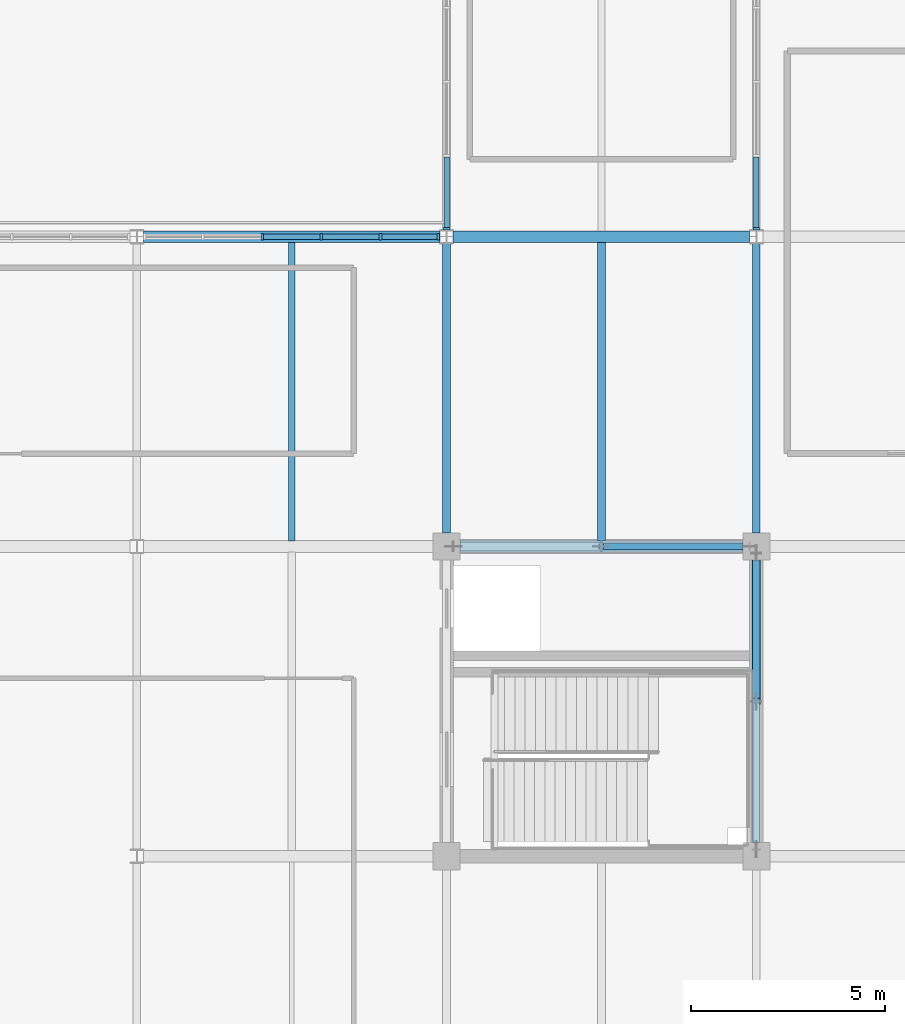
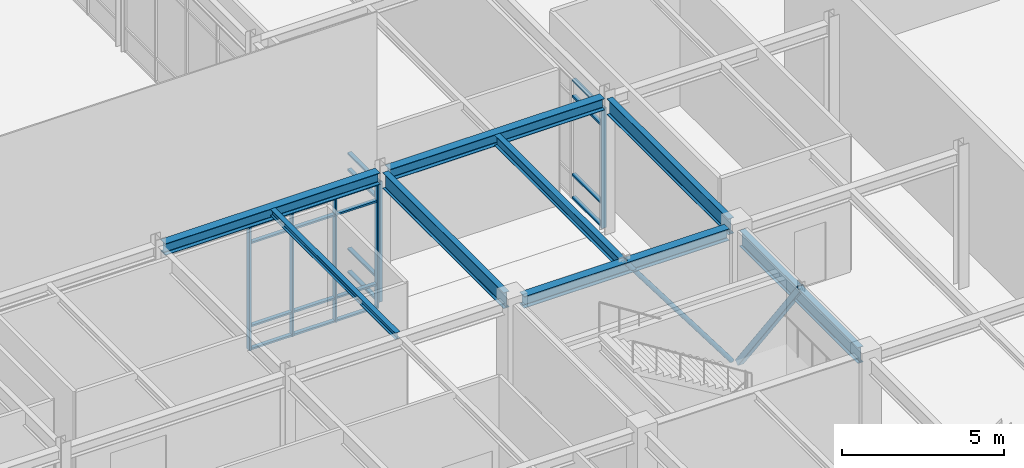
# One storey, part 34 of 119: 28 members, 8 beams, 3 elements without a shape of their own.
"""IFC4 building model written with IfcOpenShell, lengths in metres."""

from ifc_helpers import new_model, si_unit, direction, frame, origin, origin_2d, place, context, subcontext, project, spatial, rectangle, hollow_rectangle, hollow_circle, i_section, extrude, material, material_profile, profile_set, type_object, element, aggregate, save


model = new_model("IFC4")

# Units and contexts
model_context = context("Model", 3, precision=1e-05, world=origin(), true_north=direction((0.0, 1.0)))
body_context = subcontext(model_context, "Body", "Model", "MODEL_VIEW")
ifc_project = project(units=[si_unit("LENGTHUNIT", "METRE"), si_unit("AREAUNIT", "SQUARE_METRE"), si_unit("VOLUMEUNIT", "CUBIC_METRE"), si_unit("PLANEANGLEUNIT", "RADIAN"), si_unit("MASSUNIT", "GRAM", prefix="KILO")], contexts=[model_context])

# Site, building, storey
site_placement = place(None, origin())
site = spatial("IfcSite", under=ifc_project, at=site_placement, CompositionType="ELEMENT")
building_placement = place(site_placement, origin())
building = spatial("IfcBuilding", under=site, at=building_placement, Name="Zhaolan Boulevard Law Courts", CompositionType="ELEMENT")
storey_placement = place(building_placement, origin())
storey = spatial("IfcBuildingStorey", under=building, at=storey_placement, Name="L00", CompositionType="ELEMENT", Elevation=0.0)

# Member
ifc_material_1 = material(Name="Structural steel Q355B", Category="steel")
ifc_material_profile_1 = material_profile(ifc_material_1, hollow_rectangle(XDim=0.219970703125, YDim=0.219970703125, WallThickness=0.010009765625, InnerFilletRadius=0.010009765625, OuterFilletRadius=0.02001953125, at=origin_2d()), Name="HSS220x220x10")
ifc_profile_set_1 = profile_set([ifc_material_profile_1], Name="Structural steel Q355B")
member_type_1 = type_object("IfcMemberType", Name="BRACE HSS220", PredefinedType="BRACE", material=ifc_profile_set_1)
member_1_placement = place(storey_placement, frame((124.0, 21.820068359375, 0.030029296875), z_axis=(0.0, -0.600251625626, 0.799811218935), x_axis=(1.0, 0.0, 0.0)))
element("IfcMember", 1, at=member_1_placement, inside=storey, type_object=member_type_1, Name="Core Brace BR-P2-L00-E2", PredefinedType="BRACE", context=body_context, shape_type="SweptSolid", body=[
    extrude(hollow_rectangle(XDim=0.219970703125, YDim=0.219970703125, WallThickness=0.010009765625, InnerFilletRadius=0.010009765625, OuterFilletRadius=0.02001953125, at=origin_2d()), origin(), (0.0, 0.0, 1.0), 6.364013671875),
])

# Curtain wall, members
ifc_material_2 = material(Name="Thermally broken aluminium and low-E glazing", Category="aluminium")
curtain_wall_type_1 = type_object("IfcCurtainWallType", Name="CURTAIN WALL M8", PredefinedType="USERDEFINED", material=ifc_material_2)
curtain_wall_1_placement = place(storey_placement, origin())
curtain_wall_1 = element("IfcCurtainWall", 2, at=curtain_wall_1_placement, inside=storey, type_object=curtain_wall_type_1, Name="Curtain Wall CW-L00-008", ObjectType="CURTAIN WALL", PredefinedType="USERDEFINED")
ifc_material_3 = material(Name="Fluorocarbon-coated aluminium 6063-T6", Category="aluminium")
ifc_material_profile_2 = material_profile(ifc_material_3, rectangle(XDim=0.179931640625, YDim=0.06494140625, at=origin_2d()), Name="AL65x180")
ifc_profile_set_2 = profile_set([ifc_material_profile_2], Name="Fluorocarbon-coated aluminium 6063-T6")
member_type_2 = type_object("IfcMemberType", Name="CWMULLION 65X180", PredefinedType="MULLION", material=ifc_profile_set_2)
member_2_placement = place(storey_placement, frame((115.79052734375, 30.0, 0.0), z_axis=(0.0, 0.0, 1.0), x_axis=(0.0, -1.0, 0.0)))
member_2 = element("IfcMember", 3, at=member_2_placement, type_object=member_type_2, Name="CW-L00-008 mullion 1", PredefinedType="MULLION", context=body_context, shape_type="SweptSolid", body=[
    extrude(rectangle(XDim=0.179931640625, YDim=0.06494140625, at=origin_2d()), origin(), (0.0, 0.0, 1.0), 4.68310546875),
])
member_3_placement = place(storey_placement, frame((114.293701171875, 30.0, 0.0), z_axis=(0.0, 0.0, 1.0), x_axis=(0.0, -1.0, 0.0)))
member_3 = element("IfcMember", 4, at=member_3_placement, type_object=member_type_2, Name="CW-L00-008 mullion 2", PredefinedType="MULLION", context=body_context, shape_type="SweptSolid", body=[
    extrude(rectangle(XDim=0.179931640625, YDim=0.06494140625, at=origin_2d()), origin(), (0.0, 0.0, 1.0), 4.68310546875),
])
member_4_placement = place(storey_placement, frame((112.7646484375, 30.0, 0.0), z_axis=(0.0, 0.0, 1.0), x_axis=(0.0, -1.0, 0.0)))
member_4 = element("IfcMember", 5, at=member_4_placement, type_object=member_type_2, Name="CW-L00-008 mullion 3", PredefinedType="MULLION", context=body_context, shape_type="SweptSolid", body=[
    extrude(rectangle(XDim=0.179931640625, YDim=0.06494140625, at=origin_2d()), origin(), (0.0, 0.0, 1.0), 4.68310546875),
])
member_5_placement = place(storey_placement, frame((111.2353515625, 30.0, 0.0), z_axis=(0.0, 0.0, 1.0), x_axis=(0.0, -1.0, 0.0)))
member_5 = element("IfcMember", 6, at=member_5_placement, type_object=member_type_2, Name="CW-L00-008 mullion 4", PredefinedType="MULLION", context=body_context, shape_type="SweptSolid", body=[
    extrude(rectangle(XDim=0.179931640625, YDim=0.06494140625, at=origin_2d()), origin(), (0.0, 0.0, 1.0), 4.68310546875),
])

# Curtain wall, member
ifc_material_4 = material(Name="Thermally broken aluminium and low-E glazing", Category="aluminium")
curtain_wall_type_2 = type_object("IfcCurtainWallType", Name="CURTAIN WALL M20", PredefinedType="USERDEFINED", material=ifc_material_4)
curtain_wall_2_placement = place(storey_placement, origin())
curtain_wall_2 = element("IfcCurtainWall", 7, at=curtain_wall_2_placement, inside=storey, type_object=curtain_wall_type_2, Name="Curtain Wall CW-L00-020", ObjectType="CURTAIN WALL", PredefinedType="USERDEFINED")
member_6_placement = place(storey_placement, frame((116.0, 30.20947265625, 0.0), z_axis=(0.0, 0.0, 1.0), x_axis=(1.0, 0.0, 0.0)))
member_6 = element("IfcMember", 8, at=member_6_placement, type_object=member_type_2, Name="CW-L00-020 mullion 5", PredefinedType="MULLION", context=body_context, shape_type="SweptSolid", body=[
    extrude(rectangle(XDim=0.179931640625, YDim=0.06494140625, at=origin_2d()), origin(), (0.0, 0.0, 1.0), 4.532958984375),
])

ifc_material_5 = material(Name="Thermally broken aluminium and low-E glazing", Category="aluminium")
curtain_wall_type_3 = type_object("IfcCurtainWallType", Name="CURTAIN WALL M24", PredefinedType="USERDEFINED", material=ifc_material_5)
curtain_wall_3_placement = place(storey_placement, origin())
curtain_wall_3 = element("IfcCurtainWall", 9, at=curtain_wall_3_placement, inside=storey, type_object=curtain_wall_type_3, Name="Curtain Wall CW-L00-024", ObjectType="CURTAIN WALL", PredefinedType="USERDEFINED")
member_7_placement = place(storey_placement, frame((124.0, 30.20947265625, 0.0), z_axis=(0.0, 0.0, 1.0), x_axis=(-1.0, 0.0, 0.0)))
member_7 = element("IfcMember", 10, at=member_7_placement, type_object=member_type_2, Name="CW-L00-024 mullion 1", PredefinedType="MULLION", context=body_context, shape_type="SweptSolid", body=[
    extrude(rectangle(XDim=0.179931640625, YDim=0.06494140625, at=origin_2d()), origin(), (0.0, 0.0, 1.0), 4.5029296875),
])

# Member
ifc_material_6 = material(Name="Fluorocarbon-coated aluminium 6063-T6", Category="aluminium")
ifc_material_profile_3 = material_profile(ifc_material_6, rectangle(XDim=0.139892578125, YDim=0.06494140625, at=origin_2d()), Name="AL65x140")
ifc_profile_set_3 = profile_set([ifc_material_profile_3], Name="Fluorocarbon-coated aluminium 6063-T6")
member_type_3 = type_object("IfcMemberType", Name="CWTRANSOM 65X140", PredefinedType="USERDEFINED", material=ifc_profile_set_3)
member_8_placement = place(storey_placement, frame((115.758056640625, 30.0, 0.032470703125), z_axis=(-1.0, 0.0, 0.0), x_axis=(0.0, -1.0, 0.0)))
member_8 = element("IfcMember", 11, at=member_8_placement, type_object=member_type_3, Name="CW-L00-008 transom 1.1", ObjectType="TRANSOM", PredefinedType="USERDEFINED", context=body_context, shape_type="SweptSolid", body=[
    extrude(rectangle(XDim=0.139892578125, YDim=0.06494140625, at=origin_2d()), origin(), (0.0, 0.0, 1.0), 1.431640625),
])

member_9_placement = place(storey_placement, frame((115.758056640625, 30.0, 0.89990234375), z_axis=(-1.0, 0.0, 0.0), x_axis=(0.0, -1.0, 0.0)))
member_9 = element("IfcMember", 12, at=member_9_placement, type_object=member_type_3, Name="CW-L00-008 transom 1.2", ObjectType="TRANSOM", PredefinedType="USERDEFINED", context=body_context, shape_type="SweptSolid", body=[
    extrude(rectangle(XDim=0.139892578125, YDim=0.06494140625, at=origin_2d()), origin(), (0.0, 0.0, 1.0), 1.431640625),
])

member_10_placement = place(storey_placement, frame((115.758056640625, 30.0, 4.032958984375), z_axis=(-1.0, 0.0, 0.0), x_axis=(0.0, -1.0, 0.0)))
member_10 = element("IfcMember", 13, at=member_10_placement, type_object=member_type_3, Name="CW-L00-008 transom 1.3", ObjectType="TRANSOM", PredefinedType="USERDEFINED", context=body_context, shape_type="SweptSolid", body=[
    extrude(rectangle(XDim=0.139892578125, YDim=0.06494140625, at=origin_2d()), origin(), (0.0, 0.0, 1.0), 1.431640625),
])

member_11_placement = place(storey_placement, frame((115.758056640625, 30.0, 4.650390625), z_axis=(-1.0, 0.0, 0.0), x_axis=(0.0, -1.0, 0.0)))
member_11 = element("IfcMember", 14, at=member_11_placement, type_object=member_type_3, Name="CW-L00-008 transom 1.4", ObjectType="TRANSOM", PredefinedType="USERDEFINED", context=body_context, shape_type="SweptSolid", body=[
    extrude(rectangle(XDim=0.139892578125, YDim=0.06494140625, at=origin_2d()), origin(), (0.0, 0.0, 1.0), 1.431640625),
])

member_12_placement = place(storey_placement, frame((114.26123046875, 30.0, 0.032470703125), z_axis=(-1.0, 0.0, 0.0), x_axis=(0.0, -1.0, 0.0)))
member_12 = element("IfcMember", 15, at=member_12_placement, type_object=member_type_3, Name="CW-L00-008 transom 2.1", ObjectType="TRANSOM", PredefinedType="USERDEFINED", context=body_context, shape_type="SweptSolid", body=[
    extrude(rectangle(XDim=0.139892578125, YDim=0.06494140625, at=origin_2d()), origin(), (0.0, 0.0, 1.0), 1.464111328125),
])

member_13_placement = place(storey_placement, frame((114.26123046875, 30.0, 0.89990234375), z_axis=(-1.0, 0.0, 0.0), x_axis=(0.0, -1.0, 0.0)))
member_13 = element("IfcMember", 16, at=member_13_placement, type_object=member_type_3, Name="CW-L00-008 transom 2.2", ObjectType="TRANSOM", PredefinedType="USERDEFINED", context=body_context, shape_type="SweptSolid", body=[
    extrude(rectangle(XDim=0.139892578125, YDim=0.06494140625, at=origin_2d()), origin(), (0.0, 0.0, 1.0), 1.464111328125),
])

member_14_placement = place(storey_placement, frame((114.26123046875, 30.0, 4.032958984375), z_axis=(-1.0, 0.0, 0.0), x_axis=(0.0, -1.0, 0.0)))
member_14 = element("IfcMember", 17, at=member_14_placement, type_object=member_type_3, Name="CW-L00-008 transom 2.3", ObjectType="TRANSOM", PredefinedType="USERDEFINED", context=body_context, shape_type="SweptSolid", body=[
    extrude(rectangle(XDim=0.139892578125, YDim=0.06494140625, at=origin_2d()), origin(), (0.0, 0.0, 1.0), 1.464111328125),
])

member_15_placement = place(storey_placement, frame((114.26123046875, 30.0, 4.650390625), z_axis=(-1.0, 0.0, 0.0), x_axis=(0.0, -1.0, 0.0)))
member_15 = element("IfcMember", 18, at=member_15_placement, type_object=member_type_3, Name="CW-L00-008 transom 2.4", ObjectType="TRANSOM", PredefinedType="USERDEFINED", context=body_context, shape_type="SweptSolid", body=[
    extrude(rectangle(XDim=0.139892578125, YDim=0.06494140625, at=origin_2d()), origin(), (0.0, 0.0, 1.0), 1.464111328125),
])

member_16_placement = place(storey_placement, frame((112.732177734375, 30.0, 0.032470703125), z_axis=(-1.0, 0.0, 0.0), x_axis=(0.0, -1.0, 0.0)))
member_16 = element("IfcMember", 19, at=member_16_placement, type_object=member_type_3, Name="CW-L00-008 transom 3.1", ObjectType="TRANSOM", PredefinedType="USERDEFINED", context=body_context, shape_type="SweptSolid", body=[
    extrude(rectangle(XDim=0.139892578125, YDim=0.06494140625, at=origin_2d()), origin(), (0.0, 0.0, 1.0), 1.46435546875),
])

member_17_placement = place(storey_placement, frame((112.732177734375, 30.0, 0.89990234375), z_axis=(-1.0, 0.0, 0.0), x_axis=(0.0, -1.0, 0.0)))
member_17 = element("IfcMember", 20, at=member_17_placement, type_object=member_type_3, Name="CW-L00-008 transom 3.2", ObjectType="TRANSOM", PredefinedType="USERDEFINED", context=body_context, shape_type="SweptSolid", body=[
    extrude(rectangle(XDim=0.139892578125, YDim=0.06494140625, at=origin_2d()), origin(), (0.0, 0.0, 1.0), 1.46435546875),
])

member_18_placement = place(storey_placement, frame((112.732177734375, 30.0, 4.032958984375), z_axis=(-1.0, 0.0, 0.0), x_axis=(0.0, -1.0, 0.0)))
member_18 = element("IfcMember", 21, at=member_18_placement, type_object=member_type_3, Name="CW-L00-008 transom 3.3", ObjectType="TRANSOM", PredefinedType="USERDEFINED", context=body_context, shape_type="SweptSolid", body=[
    extrude(rectangle(XDim=0.139892578125, YDim=0.06494140625, at=origin_2d()), origin(), (0.0, 0.0, 1.0), 1.46435546875),
])

member_19_placement = place(storey_placement, frame((112.732177734375, 30.0, 4.650390625), z_axis=(-1.0, 0.0, 0.0), x_axis=(0.0, -1.0, 0.0)))
member_19 = element("IfcMember", 22, at=member_19_placement, type_object=member_type_3, Name="CW-L00-008 transom 3.4", ObjectType="TRANSOM", PredefinedType="USERDEFINED", context=body_context, shape_type="SweptSolid", body=[
    extrude(rectangle(XDim=0.139892578125, YDim=0.06494140625, at=origin_2d()), origin(), (0.0, 0.0, 1.0), 1.46435546875),
])

aggregate(curtain_wall_1, [member_2, member_3, member_4, member_5, member_8, member_9, member_10, member_11, member_12, member_13, member_14, member_15, member_16, member_17, member_18, member_19])

member_20_placement = place(storey_placement, frame((116.0, 32.055908203125, 0.032470703125), z_axis=(0.0, -1.0, 0.0), x_axis=(1.0, 0.0, 0.0)))
member_20 = element("IfcMember", 23, at=member_20_placement, type_object=member_type_3, Name="CW-L00-020 transom 4.1", ObjectType="TRANSOM", PredefinedType="USERDEFINED", context=body_context, shape_type="SweptSolid", body=[
    extrude(rectangle(XDim=0.139892578125, YDim=0.06494140625, at=origin_2d()), origin(), (0.0, 0.0, 1.0), 1.81396484375),
])

member_21_placement = place(storey_placement, frame((116.0, 32.055908203125, 0.89990234375), z_axis=(0.0, -1.0, 0.0), x_axis=(1.0, 0.0, 0.0)))
member_21 = element("IfcMember", 24, at=member_21_placement, type_object=member_type_3, Name="CW-L00-020 transom 4.2", ObjectType="TRANSOM", PredefinedType="USERDEFINED", context=body_context, shape_type="SweptSolid", body=[
    extrude(rectangle(XDim=0.139892578125, YDim=0.06494140625, at=origin_2d()), origin(), (0.0, 0.0, 1.0), 1.81396484375),
])

member_22_placement = place(storey_placement, frame((116.0, 32.055908203125, 3.883056640625), z_axis=(0.0, -1.0, 0.0), x_axis=(1.0, 0.0, 0.0)))
member_22 = element("IfcMember", 25, at=member_22_placement, type_object=member_type_3, Name="CW-L00-020 transom 4.3", ObjectType="TRANSOM", PredefinedType="USERDEFINED", context=body_context, shape_type="SweptSolid", body=[
    extrude(rectangle(XDim=0.139892578125, YDim=0.06494140625, at=origin_2d()), origin(), (0.0, 0.0, 1.0), 1.81396484375),
])

member_23_placement = place(storey_placement, frame((116.0, 32.055908203125, 4.50048828125), z_axis=(0.0, -1.0, 0.0), x_axis=(1.0, 0.0, 0.0)))
member_23 = element("IfcMember", 26, at=member_23_placement, type_object=member_type_3, Name="CW-L00-020 transom 4.4", ObjectType="TRANSOM", PredefinedType="USERDEFINED", context=body_context, shape_type="SweptSolid", body=[
    extrude(rectangle(XDim=0.139892578125, YDim=0.06494140625, at=origin_2d()), origin(), (0.0, 0.0, 1.0), 1.81396484375),
])

aggregate(curtain_wall_2, [member_6, member_20, member_21, member_22, member_23])

member_24_placement = place(storey_placement, frame((124.0, 30.241943359375, 0.032470703125), z_axis=(0.0, 1.0, 0.0), x_axis=(-1.0, 0.0, 0.0)))
member_24 = element("IfcMember", 27, at=member_24_placement, type_object=member_type_3, Name="CW-L00-024 transom 1.1", ObjectType="TRANSOM", PredefinedType="USERDEFINED", context=body_context, shape_type="SweptSolid", body=[
    extrude(rectangle(XDim=0.139892578125, YDim=0.06494140625, at=origin_2d()), origin(), (0.0, 0.0, 1.0), 1.81396484375),
])

member_25_placement = place(storey_placement, frame((124.0, 30.241943359375, 0.89990234375), z_axis=(0.0, 1.0, 0.0), x_axis=(-1.0, 0.0, 0.0)))
member_25 = element("IfcMember", 28, at=member_25_placement, type_object=member_type_3, Name="CW-L00-024 transom 1.2", ObjectType="TRANSOM", PredefinedType="USERDEFINED", context=body_context, shape_type="SweptSolid", body=[
    extrude(rectangle(XDim=0.139892578125, YDim=0.06494140625, at=origin_2d()), origin(), (0.0, 0.0, 1.0), 1.81396484375),
])

member_26_placement = place(storey_placement, frame((124.0, 30.241943359375, 3.85302734375), z_axis=(0.0, 1.0, 0.0), x_axis=(-1.0, 0.0, 0.0)))
member_26 = element("IfcMember", 29, at=member_26_placement, type_object=member_type_3, Name="CW-L00-024 transom 1.3", ObjectType="TRANSOM", PredefinedType="USERDEFINED", context=body_context, shape_type="SweptSolid", body=[
    extrude(rectangle(XDim=0.139892578125, YDim=0.06494140625, at=origin_2d()), origin(), (0.0, 0.0, 1.0), 1.81396484375),
])

member_27_placement = place(storey_placement, frame((124.0, 30.241943359375, 4.470458984375), z_axis=(0.0, 1.0, 0.0), x_axis=(-1.0, 0.0, 0.0)))
member_27 = element("IfcMember", 30, at=member_27_placement, type_object=member_type_3, Name="CW-L00-024 transom 1.4", ObjectType="TRANSOM", PredefinedType="USERDEFINED", context=body_context, shape_type="SweptSolid", body=[
    extrude(rectangle(XDim=0.139892578125, YDim=0.06494140625, at=origin_2d()), origin(), (0.0, 0.0, 1.0), 1.81396484375),
])

aggregate(curtain_wall_3, [member_7, member_24, member_25, member_26, member_27])

# Beams
ifc_material_7 = material(Name="Structural steel Q355B", Category="steel")
ifc_material_profile_4 = material_profile(ifc_material_7, i_section(OverallWidth=0.300048828125, OverallDepth=0.43994140625, WebThickness=0.010986328125, FlangeThickness=0.01806640625, FilletRadius=0.02001953125, at=origin_2d()), Name="HM440x300")
ifc_profile_set_4 = profile_set([ifc_material_profile_4], Name="Structural steel Q355B")
beam_type_1 = type_object("IfcBeamType", Name="GIRDER HM440", PredefinedType="BEAM", material=ifc_profile_set_4)
beam_1_placement = place(storey_placement, frame((116.345947265625, 22.0, 4.91796875), z_axis=(1.0, 0.0, 0.0), x_axis=(0.0, 1.0, 0.0)))
element("IfcBeam", 31, at=beam_1_placement, inside=storey, type_object=beam_type_1, Name="Beam BX-L01-15-16-D", PredefinedType="BEAM", context=body_context, shape_type="SweptSolid", body=[
    extrude(i_section(OverallWidth=0.300048828125, OverallDepth=0.43994140625, WebThickness=0.010986328125, FlangeThickness=0.01806640625, FilletRadius=0.02001953125, at=origin_2d()), origin(), (0.0, 0.0, 1.0), 7.30810546875),
])
for number, where, z_axis, x_axis, name in (
    (32, (108.1708984375, 30.0, 4.91796875), (1.0, 0.0, 0.0), (0.0, 1.0, 0.0), "Beam BX-L01-14-15-E"),
    (33, (116.1708984375, 30.0, 4.91796875), (1.0, 0.0, 0.0), (0.0, 1.0, 0.0), "Beam BX-L01-15-16-E"),
):
    element("IfcBeam", number, at=place(storey_placement, frame(where, z_axis=z_axis, x_axis=x_axis)), inside=storey, type_object=beam_type_1, Name=name, PredefinedType="BEAM", context=body_context, shape_type="SweptSolid", body=[
        extrude(i_section(OverallWidth=0.300048828125, OverallDepth=0.43994140625, WebThickness=0.010986328125, FlangeThickness=0.01806640625, FilletRadius=0.02001953125, at=origin_2d()), origin(), (0.0, 0.0, 1.0), 7.658203125),
    ])
ifc_material_8 = material(Name="Structural steel Q355B", Category="steel")
ifc_material_profile_5 = material_profile(ifc_material_8, i_section(OverallWidth=0.199951171875, OverallDepth=0.60009765625, WebThickness=0.010986328125, FlangeThickness=0.01708984375, FilletRadius=0.02001953125, at=origin_2d()), Name="HN600x200")
ifc_profile_set_5 = profile_set([ifc_material_profile_5], Name="Structural steel Q355B")
beam_type_2 = type_object("IfcBeamType", Name="GIRDER HN600", PredefinedType="BEAM", material=ifc_profile_set_5)
beam_2_placement = place(storey_placement, frame((116.0, 22.345947265625, 4.837890625), z_axis=(0.0, 1.0, 0.0), x_axis=(-1.0, 0.0, 0.0)))
element("IfcBeam", 34, at=beam_2_placement, inside=storey, type_object=beam_type_2, Name="Beam BY-L01-15-D-E", PredefinedType="BEAM", context=body_context, shape_type="SweptSolid", body=[
    extrude(i_section(OverallWidth=0.199951171875, OverallDepth=0.60009765625, WebThickness=0.010986328125, FlangeThickness=0.01708984375, FilletRadius=0.02001953125, at=origin_2d()), origin(), (0.0, 0.0, 1.0), 7.483154296875),
])
beam_3_placement = place(storey_placement, frame((124.0, 14.345947265625, 4.818115234375), z_axis=(0.0, 1.0, 0.0), x_axis=(-1.0, 0.0, 0.0)))
element("IfcBeam", 35, at=beam_3_placement, inside=storey, type_object=beam_type_2, Name="Beam BY-L01-16-C-D", PredefinedType="BEAM", context=body_context, shape_type="SweptSolid", body=[
    extrude(i_section(OverallWidth=0.199951171875, OverallDepth=0.60009765625, WebThickness=0.010986328125, FlangeThickness=0.01708984375, FilletRadius=0.02001953125, at=origin_2d()), origin(), (0.0, 0.0, 1.0), 7.30810546875),
])
beam_4_placement = place(storey_placement, frame((124.0, 22.345947265625, 4.818115234375), z_axis=(0.0, 1.0, 0.0), x_axis=(-1.0, 0.0, 0.0)))
element("IfcBeam", 36, at=beam_4_placement, inside=storey, type_object=beam_type_2, Name="Beam BY-L01-16-D-E", PredefinedType="BEAM", context=body_context, shape_type="SweptSolid", body=[
    extrude(i_section(OverallWidth=0.199951171875, OverallDepth=0.60009765625, WebThickness=0.010986328125, FlangeThickness=0.01708984375, FilletRadius=0.02001953125, at=origin_2d()), origin(), (0.0, 0.0, 1.0), 7.483154296875),
])
ifc_material_9 = material(Name="Structural steel Q355B", Category="steel")
ifc_material_profile_6 = material_profile(ifc_material_9, i_section(OverallWidth=0.175048828125, OverallDepth=0.243896484375, WebThickness=0.007080078125, FlangeThickness=0.010986328125, FilletRadius=0.012939453125, at=origin_2d()), Name="HM244x175")
ifc_profile_set_6 = profile_set([ifc_material_profile_6], Name="Structural steel Q355B")
beam_type_3 = type_object("IfcBeamType", Name="JOIST HM244", PredefinedType="JOIST", material=ifc_profile_set_6)
beam_5_placement = place(storey_placement, frame((112.0, 22.14599609375, 5.01611328125), z_axis=(0.0, 1.0, 0.0), x_axis=(-1.0, 0.0, 0.0)))
element("IfcBeam", 37, at=beam_5_placement, inside=storey, type_object=beam_type_3, Name="Composite Joist J-L01-14D", PredefinedType="JOIST", context=body_context, shape_type="SweptSolid", body=[
    extrude(i_section(OverallWidth=0.175048828125, OverallDepth=0.243896484375, WebThickness=0.007080078125, FlangeThickness=0.010986328125, FilletRadius=0.012939453125, at=origin_2d()), origin(), (0.0, 0.0, 1.0), 7.7080078125),
])
ifc_material_10 = material(Name="Structural steel Q355B", Category="steel")
ifc_material_profile_7 = material_profile(ifc_material_10, i_section(OverallWidth=0.199951171875, OverallDepth=0.39990234375, WebThickness=0.008056640625, FlangeThickness=0.012939453125, FilletRadius=0.013916015625, at=origin_2d()), Name="HN400x200")
ifc_profile_set_7 = profile_set([ifc_material_profile_7], Name="Structural steel Q355B")
beam_type_4 = type_object("IfcBeamType", Name="JOIST HN400", PredefinedType="JOIST", material=ifc_profile_set_7)
beam_6_placement = place(storey_placement, frame((120.0, 22.14599609375, 4.93798828125), z_axis=(0.0, 1.0, 0.0), x_axis=(-1.0, 0.0, 0.0)))
element("IfcBeam", 38, at=beam_6_placement, inside=storey, type_object=beam_type_4, Name="Composite Joist J-L01-15D", PredefinedType="JOIST", context=body_context, shape_type="SweptSolid", body=[
    extrude(i_section(OverallWidth=0.199951171875, OverallDepth=0.39990234375, WebThickness=0.008056640625, FlangeThickness=0.012939453125, FilletRadius=0.013916015625, at=origin_2d()), origin(), (0.0, 0.0, 1.0), 7.7080078125),
])

# Member
ifc_material_11 = material(Name="Structural steel Q355B", Category="steel")
ifc_material_profile_8 = material_profile(ifc_material_11, hollow_circle(Radius=0.083984375, WallThickness=0.008056640625, at=origin_2d()), Name="CHS168x8")
ifc_profile_set_8 = profile_set([ifc_material_profile_8], Name="Structural steel Q355B")
member_type_4 = type_object("IfcMemberType", Name="STRUT CHS168", PredefinedType="BRACE", material=ifc_profile_set_8)
member_28_placement = place(storey_placement, frame((123.820068359375, 22.0, 0.030029296875), z_axis=(-0.600251625626, 0.0, 0.799811218935), x_axis=(0.0, -1.0, 0.0)))
element("IfcMember", 39, at=member_28_placement, inside=storey, type_object=member_type_4, Name="Core Brace BR-P2-L00-N2", PredefinedType="BRACE", context=body_context, shape_type="SweptSolid", body=[
    extrude(hollow_circle(Radius=0.083984375, WallThickness=0.008056640625, at=origin_2d()), origin(), (0.0, 0.0, 1.0), 6.364013671875),
])

save(model, "model.ifc")
